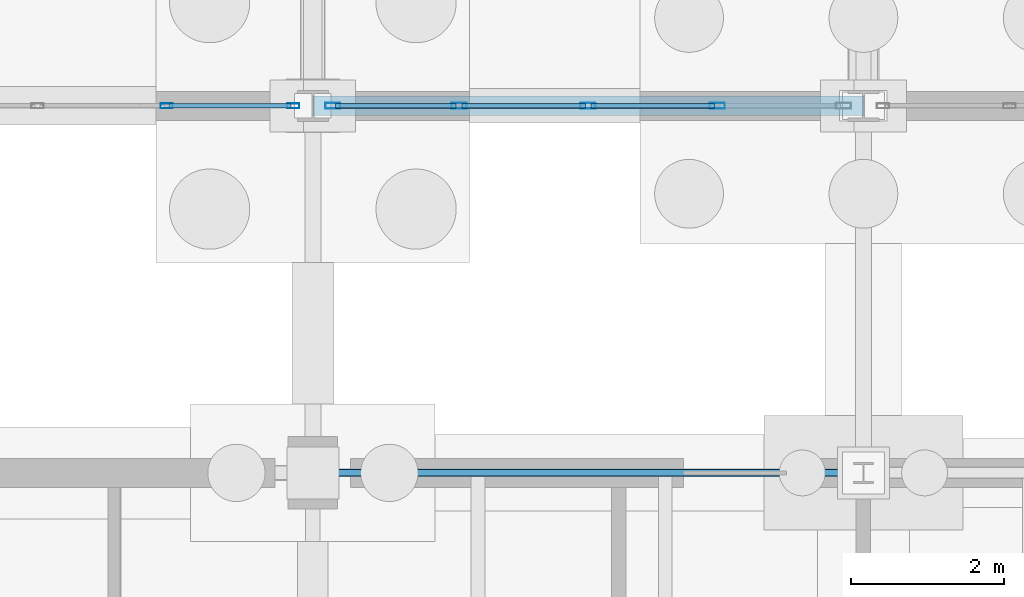
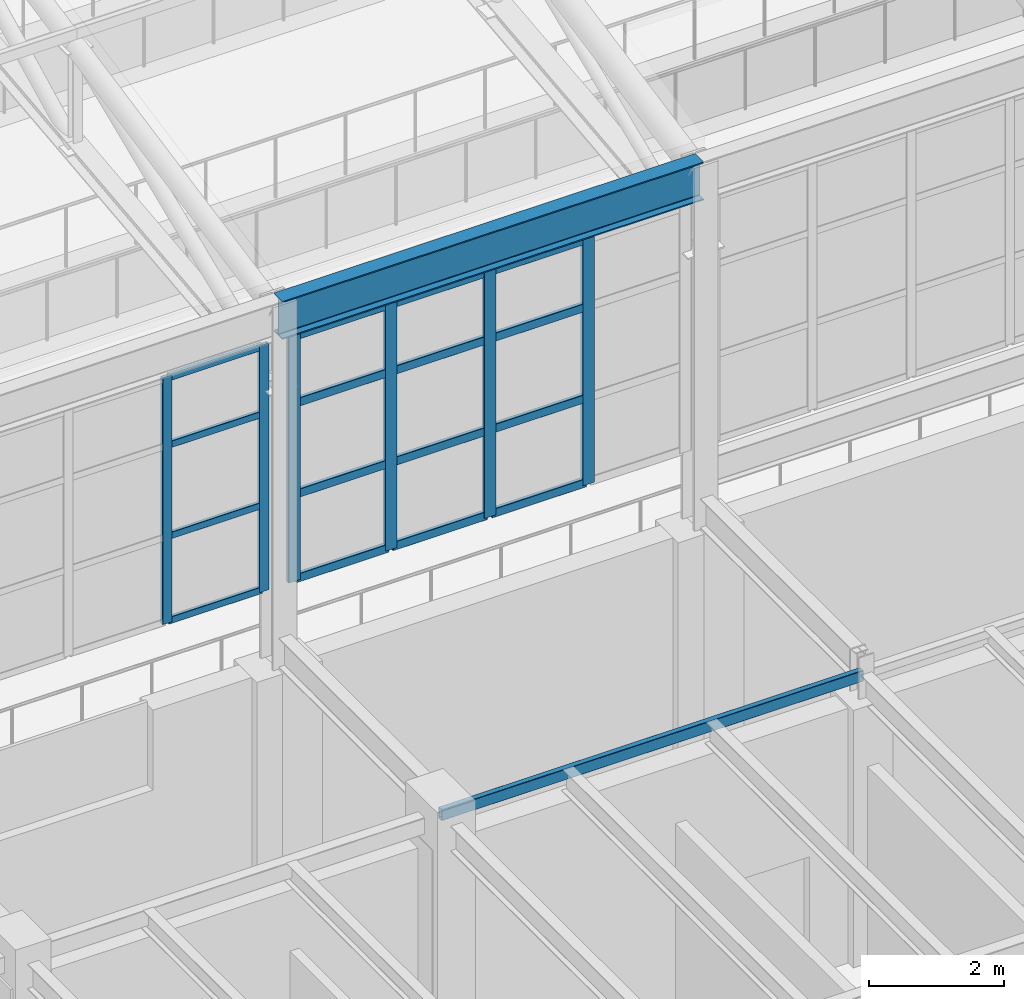
# One storey, part 166 of 293: 22 members, 2 beams, 2 elements without a shape of their own.
"""IFC4 building model written with IfcOpenShell, lengths in metres."""

import ifcopenshell
import ifcopenshell.guid

model = None  # the IFC model being written
_history = None  # IfcOwnerHistory: only IFC2X3 demands one
_inside = {}  # id of a spatial element -> (the spatial element, [elements in it])
_under = {}  # id of a project, library or spatial element -> (it, [spatial elements below it])
_declared = {}  # id of a project -> (the project, [libraries it declares])
_typed = {}  # id of a type object -> (the type object, [elements of that type])
_made_of = {}  # id of a material, layer set ... -> (it, [elements and type objects made of it])


def new_model(schema):
    """Start an empty IFC model of exactly this schema.

    Asked for "IFC4X3", IfcOpenShell would pick the latest addendum, in which some entities
    have other attributes; the version numbers below select the first issue.
    IFC2X3 requires an IfcOwnerHistory on every rooted entity: one is made here for all.
    """
    global model, _history
    if schema == "IFC4X3":
        model = ifcopenshell.file(schema_version=(4, 3, 0, 0))
    else:
        model = ifcopenshell.file(schema=schema)
    _inside.clear()
    _under.clear()
    _declared.clear()
    _typed.clear()
    _made_of.clear()
    _history = None
    if model.schema == "IFC2X3":
        org = make("IfcOrganization", Name="unknown")
        user = make(
            "IfcPersonAndOrganization",
            ThePerson=make("IfcPerson", FamilyName="unknown"),
            TheOrganization=org,
        )
        app = make(
            "IfcApplication",
            ApplicationDeveloper=org,
            Version="unknown",
            ApplicationFullName="unknown",
            ApplicationIdentifier="unknown",
        )
        _history = make(
            "IfcOwnerHistory",
            OwningUser=user,
            OwningApplication=app,
            ChangeAction="ADDED",
            CreationDate=0,
        )
    return model


def make(cls, **values):
    """One entity of the class cls with the attributes given. An attribute that is None is left unset."""
    return model.create_entity(
        cls, **{name: value for name, value in values.items() if value is not None}
    )


def rooted(cls, **values):
    """An entity with a GlobalId (a new one), such as an element, a storey or a relation."""
    return make(cls, GlobalId=ifcopenshell.guid.new(), OwnerHistory=_history, **values)


def si_unit(unit_type, name, prefix=None):
    """IfcSIUnit, for example si_unit("LENGTHUNIT", "METRE", prefix="MILLI")."""
    return make("IfcSIUnit", UnitType=unit_type, Prefix=prefix, Name=name)


def assignment(units):
    """IfcUnitAssignment: the units of a project."""
    return None if units is None else make("IfcUnitAssignment", Units=units)


def point(xyz):
    """IfcCartesianPoint."""
    return None if xyz is None else make("IfcCartesianPoint", Coordinates=xyz)


def direction(xyz):
    """IfcDirection."""
    return None if xyz is None else make("IfcDirection", DirectionRatios=xyz)


def frame(location, z_axis=None, x_axis=None):
    """IfcAxis2Placement3D, a coordinate frame: its origin and axes. An axis left out is left unset."""
    return make(
        "IfcAxis2Placement3D",
        Location=point(location),
        Axis=direction(z_axis),
        RefDirection=direction(x_axis),
    )


def frame_2d(location, x_axis=None):
    """IfcAxis2Placement2D, a coordinate frame in the plane: its origin and x axis."""
    return make(
        "IfcAxis2Placement2D", Location=point(location), RefDirection=direction(x_axis)
    )


def origin():
    """The frame at (0, 0, 0) with its axes left unset."""
    return frame((0.0, 0.0, 0.0))


def origin_2d():
    """The frame at (0, 0) in the plane with its x axis left unset."""
    return frame_2d((0.0, 0.0))


def place(relative_to, where):
    """IfcLocalPlacement: puts the frame where relative to a parent placement (None: the world)."""
    return make(
        "IfcLocalPlacement", PlacementRelTo=relative_to, RelativePlacement=where
    )


def context(
    kind, dimensions, precision=None, world=None, true_north=None, identifier=None
):
    """IfcGeometricRepresentationContext, for example the 3D "Model" context."""
    return make(
        "IfcGeometricRepresentationContext",
        ContextIdentifier=identifier,
        ContextType=kind,
        CoordinateSpaceDimension=dimensions,
        Precision=precision,
        WorldCoordinateSystem=world,
        TrueNorth=true_north,
    )


def subcontext(parent, identifier, kind, view, scale=None):
    """IfcGeometricRepresentationSubContext, for example "Body" below "Model"."""
    return make(
        "IfcGeometricRepresentationSubContext",
        ContextIdentifier=identifier,
        ContextType=kind,
        ParentContext=parent,
        TargetScale=scale,
        TargetView=view,
    )


def project(units=None, contexts=None):
    """IfcProject with its units and contexts."""
    return rooted(
        "IfcProject",
        Name="project",
        RepresentationContexts=contexts,
        UnitsInContext=assignment(units),
    )


def spatial(cls, under=None, at=None, **own):
    """A site, building, storey or space (cls), placed at a placement, below another one or the project."""
    s = rooted(cls, ObjectPlacement=at, **own)
    if under is not None:
        _under.setdefault(under.id(), (under, []))[1].append(s)
    return s


def profile(cls, at=None, kind="AREA", **sizes):
    """A parametric profile (cls). Its sizes go by their IFC names, for example OverallWidth=200.0."""
    return make(cls, ProfileType=kind, Position=at, **sizes)


def hollow_rectangle(**sizes):
    """IfcRectangleHollowProfileDef."""
    return profile("IfcRectangleHollowProfileDef", **sizes)


def i_section(**sizes):
    """IfcIShapeProfileDef."""
    return profile("IfcIShapeProfileDef", **sizes)


def extrude(swept, where, along, depth):
    """IfcExtrudedAreaSolid: the profile swept, set in the frame where, extruded along a direction by depth."""
    return make(
        "IfcExtrudedAreaSolid",
        SweptArea=swept,
        Position=where,
        ExtrudedDirection=direction(along),
        Depth=depth,
    )


def shape(context_of_items, identifier, shape_type, items):
    """IfcShapeRepresentation: the items that make up one representation, for example the "Body"."""
    return make(
        "IfcShapeRepresentation",
        ContextOfItems=context_of_items,
        RepresentationIdentifier=identifier,
        RepresentationType=shape_type,
        Items=items,
    )


def material(Name=None, Category=None):
    """IfcMaterial."""
    return make("IfcMaterial", Name=Name, Category=Category)


def layer(
    of_material, thickness, ventilated=None, Name=None, Category=None, Priority=None
):
    """IfcMaterialLayer: one layer of a wall or slab, of a material (None: an air gap)."""
    return make(
        "IfcMaterialLayer",
        Material=of_material,
        LayerThickness=thickness,
        IsVentilated=ventilated,
        Name=Name,
        Category=Category,
        Priority=Priority,
    )


def layer_set(layers, Name=None):
    """IfcMaterialLayerSet."""
    return make("IfcMaterialLayerSet", MaterialLayers=layers, LayerSetName=Name)


def material_profile(
    of_material, cross_section, Name=None, Category=None, Priority=None
):
    """IfcMaterialProfile: a cross section and its material."""
    return make(
        "IfcMaterialProfile",
        Name=Name,
        Material=of_material,
        Profile=cross_section,
        Priority=Priority,
        Category=Category,
    )


def profile_set(profiles, Name=None, composite=None):
    """IfcMaterialProfileSet."""
    return make(
        "IfcMaterialProfileSet",
        Name=Name,
        MaterialProfiles=profiles,
        CompositeProfile=composite,
    )


def made_of(thing, what):
    """Note that an element or type object is made of a material, layer set ...; save() writes the relation."""
    if what is not None:
        _made_of.setdefault(what.id(), (what, []))[1].append(thing)
    return thing


def type_object(cls, material=None, **own):
    """A type object (cls), such as IfcWallType, which elements share."""
    return made_of(rooted(cls, **own), material)


def element(
    cls,
    number,
    at=None,
    inside=None,
    cuts=None,
    type_object=None,
    material=None,
    context=None,
    identifier="Body",
    shape_type=None,
    held_by="IfcProductDefinitionShape",
    body=None,
    shapes=None,
    **own,
):
    """One element of the class cls, such as IfcWall. Its Tag is "e" and its number.

    at: its placement. inside: the storey or other place that contains it. cuts: it is an
    opening in that element (IfcRelVoidsElement). A single representation is given by context,
    identifier, shape_type and body (its items); several are given by shapes. held_by: the class
    of the entity that holds the representations. save() writes the other relations.
    """
    e = rooted(cls, Tag="e%d" % number, ObjectPlacement=at, **own)
    if body is not None:
        shapes = [shape(context, identifier, shape_type, body)]
    if shapes is not None:
        e.Representation = make(held_by, Representations=shapes)
    if inside is not None:
        _inside.setdefault(inside.id(), (inside, []))[1].append(e)
    if cuts is not None:
        rooted(
            "IfcRelVoidsElement", RelatingBuildingElement=cuts, RelatedOpeningElement=e
        )
    if type_object is not None:
        _typed.setdefault(type_object.id(), (type_object, []))[1].append(e)
    return made_of(e, material)


def aggregate(whole, parts):
    """IfcRelAggregates: a whole, such as a stair, and the parts it consists of."""
    return rooted("IfcRelAggregates", RelatingObject=whole, RelatedObjects=parts)


def save(model, path):
    """Write the relations noted so far, then the file.

    IfcRelAggregates (storeys below a building ...), IfcRelContainedInSpatialStructure (elements
    in a storey), IfcRelDefinesByType, IfcRelAssociatesMaterial and IfcRelDeclares: one each for
    every whole, place, type object, material and project.
    """
    for whole, parts in _under.values():
        aggregate(whole, parts)
    for where, things in _inside.values():
        rooted(
            "IfcRelContainedInSpatialStructure",
            RelatedElements=things,
            RelatingStructure=where,
        )
    for kind, things in _typed.values():
        rooted("IfcRelDefinesByType", RelatedObjects=things, RelatingType=kind)
    for what, things in _made_of.values():
        rooted("IfcRelAssociatesMaterial", RelatedObjects=things, RelatingMaterial=what)
    for by, libraries in _declared.values():
        rooted("IfcRelDeclares", RelatingContext=by, RelatedDefinitions=libraries)
    model.write(path)


model = new_model("IFC4")

# Units and contexts
model_context = context("Model", 3, precision=1e-05, world=origin(), true_north=direction((0.0, 1.0)))
body_context = subcontext(model_context, "Body", "Model", "MODEL_VIEW")
ifc_project = project(units=[si_unit("LENGTHUNIT", "METRE"), si_unit("AREAUNIT", "SQUARE_METRE"), si_unit("VOLUMEUNIT", "CUBIC_METRE"), si_unit("PLANEANGLEUNIT", "RADIAN"), si_unit("MASSUNIT", "GRAM", prefix="KILO")], contexts=[model_context])

# Site, building, storey
site_placement = place(None, origin())
site = spatial("IfcSite", under=ifc_project, at=site_placement, CompositionType="ELEMENT")
building_placement = place(site_placement, origin())
building = spatial("IfcBuilding", under=site, at=building_placement, Name="Kemerveld Promenade Tramway Depot", CompositionType="ELEMENT")
storey_placement = place(building_placement, origin())
storey = spatial("IfcBuildingStorey", under=building, at=storey_placement, Name="L00", CompositionType="ELEMENT", Elevation=0.0)

# Beams
ifc_material_1 = material(Name="Steel S355", Category="steel")
ifc_material_profile_1 = material_profile(ifc_material_1, i_section(OverallWidth=0.25439453125, OverallDepth=0.6875, WebThickness=0.01318359375, FlangeThickness=0.02099609375, FilletRadius=0.01513671875, at=origin_2d()), Name="686x254x152 UB")
ifc_profile_set_1 = profile_set([ifc_material_profile_1], Name="Steel S355")
beam_type_1 = type_object("IfcBeamType", Name="BM-G03", PredefinedType="BEAM", material=ifc_profile_set_1)
beam_1_placement = place(storey_placement, frame((136.800048828125, 84.0, 11.056396484375), z_axis=(1.0, 0.0, 0.0), x_axis=(0.0, 1.0, 0.0)))
element("IfcBeam", 1, at=beam_1_placement, inside=storey, type_object=beam_type_1, Name="BM-SHED-EAVE-N-20", PredefinedType="BEAM", context=body_context, shape_type="SweptSolid", body=[
    extrude(i_section(OverallWidth=0.25439453125, OverallDepth=0.6875, WebThickness=0.01318359375, FlangeThickness=0.02099609375, FilletRadius=0.01513671875, at=origin_2d()), origin(), (0.0, 0.0, 1.0), 7.199951171875),
])
ifc_material_profile_2 = material_profile(ifc_material_1, hollow_rectangle(XDim=0.10009765625, YDim=0.199951171875, WallThickness=0.008056640625, InnerFilletRadius=0.00390625, OuterFilletRadius=0.011962890625, at=origin_2d()), Name="200x100x8.0 RHS")
ifc_profile_set_2 = profile_set([ifc_material_profile_2], Name="Steel S355")
beam_type_2 = type_object("IfcBeamType", Name="BM-SP3", PredefinedType="SPANDREL", material=ifc_profile_set_2)
beam_2_placement = place(storey_placement, frame((136.800048828125, 79.199951171875, 4.97998046875), z_axis=(1.0, 0.0, 0.0), x_axis=(0.0, 1.0, 0.0)))
element("IfcBeam", 2, at=beam_2_placement, inside=storey, type_object=beam_type_2, Name="BMX-L00-20-21-M", PredefinedType="SPANDREL", context=body_context, shape_type="SweptSolid", body=[
    extrude(hollow_rectangle(XDim=0.10009765625, YDim=0.199951171875, WallThickness=0.008056640625, InnerFilletRadius=0.00390625, OuterFilletRadius=0.011962890625, at=origin_2d()), origin(), (0.0, 0.0, 1.0), 7.199951171875),
])

# Curtain wall, members
ifc_material_2 = material(Name="Bronze anodised aluminium and solar glass", Category="aluminium")
ifc_layer_1 = layer(ifc_material_2, 0.159912109375)
ifc_layer_set_1 = layer_set([ifc_layer_1], Name="CW-SYS-03")
curtain_wall_type_1 = type_object("IfcCurtainWallType", Name="CW-SYS-03", PredefinedType="USERDEFINED", material=ifc_layer_set_1)
curtain_wall_1_placement = place(storey_placement, origin())
curtain_wall_1 = element("IfcCurtainWall", 3, at=curtain_wall_1_placement, inside=storey, type_object=curtain_wall_type_1, Name="CW-V1-S-14", ObjectType="GLAZED_CURTAIN_WALL", PredefinedType="USERDEFINED")
ifc_material_3 = material(Name="Bronze anodised aluminium", Category="aluminium")
ifc_material_profile_3 = material_profile(ifc_material_3, hollow_rectangle(XDim=0.06494140625, YDim=0.159912109375, WallThickness=0.00390625, InnerFilletRadius=0.001953125, OuterFilletRadius=0.00390625, at=origin_2d()), Name="CW-MUL-160x65")
ifc_profile_set_3 = profile_set([ifc_material_profile_3], Name="Bronze anodised aluminium")
member_type_1 = type_object("IfcMemberType", Name="CW-MUL-A", PredefinedType="MULLION", material=ifc_profile_set_3)
member_1_placement = place(storey_placement, frame((136.544189453125, 84.0, 6.199951171875), z_axis=(0.0, 0.0, 1.0), x_axis=(0.0, -1.0, 0.0)))
member_1 = element("IfcMember", 4, at=member_1_placement, type_object=member_type_1, Name="CW03 mullion 1", PredefinedType="MULLION", context=body_context, shape_type="SweptSolid", body=[
    extrude(hollow_rectangle(XDim=0.06494140625, YDim=0.159912109375, WallThickness=0.00390625, InnerFilletRadius=0.001953125, OuterFilletRadius=0.00390625, at=origin_2d()), origin(), (0.0, 0.0, 1.0), 4.449951171875),
])
member_2_placement = place(storey_placement, frame((134.888427734375, 84.0, 6.199951171875), z_axis=(0.0, 0.0, 1.0), x_axis=(0.0, -1.0, 0.0)))
member_2 = element("IfcMember", 5, at=member_2_placement, type_object=member_type_1, Name="CW03 mullion 2", PredefinedType="MULLION", context=body_context, shape_type="SweptSolid", body=[
    extrude(hollow_rectangle(XDim=0.06494140625, YDim=0.159912109375, WallThickness=0.00390625, InnerFilletRadius=0.001953125, OuterFilletRadius=0.00390625, at=origin_2d()), origin(), (0.0, 0.0, 1.0), 4.449951171875),
])

ifc_layer_2 = layer(ifc_material_2, 0.199951171875)
ifc_layer_set_2 = layer_set([ifc_layer_2], Name="CW-SYS-04")
curtain_wall_type_2 = type_object("IfcCurtainWallType", Name="CW-SYS-04", PredefinedType="USERDEFINED", material=ifc_layer_set_2)
curtain_wall_2_placement = place(storey_placement, origin())
curtain_wall_2 = element("IfcCurtainWall", 6, at=curtain_wall_2_placement, inside=storey, type_object=curtain_wall_type_2, Name="CW-V1-S-15", ObjectType="GLAZED_CURTAIN_WALL", PredefinedType="USERDEFINED")
ifc_material_profile_4 = material_profile(ifc_material_3, hollow_rectangle(XDim=0.074951171875, YDim=0.199951171875, WallThickness=0.0048828125, InnerFilletRadius=0.001953125, OuterFilletRadius=0.0048828125, at=origin_2d()), Name="CW-MUL-200x75")
ifc_profile_set_4 = profile_set([ifc_material_profile_4], Name="Bronze anodised aluminium")
member_type_2 = type_object("IfcMemberType", Name="CW-MUL-B", PredefinedType="MULLION", material=ifc_profile_set_4)
member_3_placement = place(storey_placement, frame((142.08837890625, 84.0, 6.199951171875), z_axis=(0.0, 0.0, 1.0), x_axis=(0.0, -1.0, 0.0)))
member_3 = element("IfcMember", 7, at=member_3_placement, type_object=member_type_2, Name="CW04 mullion 2", PredefinedType="MULLION", context=body_context, shape_type="SweptSolid", body=[
    extrude(hollow_rectangle(XDim=0.074951171875, YDim=0.199951171875, WallThickness=0.0048828125, InnerFilletRadius=0.001953125, OuterFilletRadius=0.0048828125, at=origin_2d()), origin(), (0.0, 0.0, 1.0), 4.449951171875),
])
member_4_placement = place(storey_placement, frame((140.39990234375, 84.0, 6.199951171875), z_axis=(0.0, 0.0, 1.0), x_axis=(0.0, -1.0, 0.0)))
member_4 = element("IfcMember", 8, at=member_4_placement, type_object=member_type_2, Name="CW04 mullion 3", PredefinedType="MULLION", context=body_context, shape_type="SweptSolid", body=[
    extrude(hollow_rectangle(XDim=0.074951171875, YDim=0.199951171875, WallThickness=0.0048828125, InnerFilletRadius=0.001953125, OuterFilletRadius=0.0048828125, at=origin_2d()), origin(), (0.0, 0.0, 1.0), 4.449951171875),
])
member_5_placement = place(storey_placement, frame((138.711669921875, 84.0, 6.199951171875), z_axis=(0.0, 0.0, 1.0), x_axis=(0.0, -1.0, 0.0)))
member_5 = element("IfcMember", 9, at=member_5_placement, type_object=member_type_2, Name="CW04 mullion 4", PredefinedType="MULLION", context=body_context, shape_type="SweptSolid", body=[
    extrude(hollow_rectangle(XDim=0.074951171875, YDim=0.199951171875, WallThickness=0.0048828125, InnerFilletRadius=0.001953125, OuterFilletRadius=0.0048828125, at=origin_2d()), origin(), (0.0, 0.0, 1.0), 4.449951171875),
])
member_6_placement = place(storey_placement, frame((137.060791015625, 84.0, 6.199951171875), z_axis=(0.0, 0.0, 1.0), x_axis=(0.0, -1.0, 0.0)))
member_6 = element("IfcMember", 10, at=member_6_placement, type_object=member_type_2, Name="CW04 mullion 5", PredefinedType="MULLION", context=body_context, shape_type="SweptSolid", body=[
    extrude(hollow_rectangle(XDim=0.074951171875, YDim=0.199951171875, WallThickness=0.0048828125, InnerFilletRadius=0.001953125, OuterFilletRadius=0.0048828125, at=origin_2d()), origin(), (0.0, 0.0, 1.0), 4.449951171875),
])

# Member
ifc_material_profile_5 = material_profile(ifc_material_3, hollow_rectangle(XDim=0.06005859375, YDim=0.1201171875, WallThickness=0.00390625, InnerFilletRadius=0.001953125, OuterFilletRadius=0.00390625, at=origin_2d()), Name="CW-TRN-120x60")
ifc_profile_set_5 = profile_set([ifc_material_profile_5], Name="Bronze anodised aluminium")
member_type_3 = type_object("IfcMemberType", Name="CW-TRN-A", PredefinedType="USERDEFINED", material=ifc_profile_set_5)
member_7_placement = place(storey_placement, frame((136.51171875, 84.0, 6.22998046875), z_axis=(-1.0, 0.0, 0.0), x_axis=(0.0, -1.0, 0.0)))
member_7 = element("IfcMember", 11, at=member_7_placement, type_object=member_type_3, Name="CW03 transom 1.1", ObjectType="TRANSOM", PredefinedType="USERDEFINED", context=body_context, shape_type="SweptSolid", body=[
    extrude(hollow_rectangle(XDim=0.06005859375, YDim=0.1201171875, WallThickness=0.00390625, InnerFilletRadius=0.001953125, OuterFilletRadius=0.00390625, at=origin_2d()), origin(), (0.0, 0.0, 1.0), 1.5908203125),
])

member_8_placement = place(storey_placement, frame((136.51171875, 84.0, 7.758056640625), z_axis=(-1.0, 0.0, 0.0), x_axis=(0.0, -1.0, 0.0)))
member_8 = element("IfcMember", 12, at=member_8_placement, type_object=member_type_3, Name="CW03 transom 1.2", ObjectType="TRANSOM", PredefinedType="USERDEFINED", context=body_context, shape_type="SweptSolid", body=[
    extrude(hollow_rectangle(XDim=0.06005859375, YDim=0.1201171875, WallThickness=0.00390625, InnerFilletRadius=0.001953125, OuterFilletRadius=0.00390625, at=origin_2d()), origin(), (0.0, 0.0, 1.0), 1.5908203125),
])

member_9_placement = place(storey_placement, frame((136.51171875, 84.0, 9.404052734375), z_axis=(-1.0, 0.0, 0.0), x_axis=(0.0, -1.0, 0.0)))
member_9 = element("IfcMember", 13, at=member_9_placement, type_object=member_type_3, Name="CW03 transom 1.3", ObjectType="TRANSOM", PredefinedType="USERDEFINED", context=body_context, shape_type="SweptSolid", body=[
    extrude(hollow_rectangle(XDim=0.06005859375, YDim=0.1201171875, WallThickness=0.00390625, InnerFilletRadius=0.001953125, OuterFilletRadius=0.00390625, at=origin_2d()), origin(), (0.0, 0.0, 1.0), 1.5908203125),
])

member_10_placement = place(storey_placement, frame((136.51171875, 84.0, 10.6201171875), z_axis=(-1.0, 0.0, 0.0), x_axis=(0.0, -1.0, 0.0)))
member_10 = element("IfcMember", 14, at=member_10_placement, type_object=member_type_3, Name="CW03 transom 1.4", ObjectType="TRANSOM", PredefinedType="USERDEFINED", context=body_context, shape_type="SweptSolid", body=[
    extrude(hollow_rectangle(XDim=0.06005859375, YDim=0.1201171875, WallThickness=0.00390625, InnerFilletRadius=0.001953125, OuterFilletRadius=0.00390625, at=origin_2d()), origin(), (0.0, 0.0, 1.0), 1.5908203125),
])

aggregate(curtain_wall_1, [member_1, member_2, member_7, member_8, member_9, member_10])

ifc_material_profile_6 = material_profile(ifc_material_3, hollow_rectangle(XDim=0.06494140625, YDim=0.14990234375, WallThickness=0.00439453125, InnerFilletRadius=0.001953125, OuterFilletRadius=0.00439453125, at=origin_2d()), Name="CW-TRN-150x65")
ifc_profile_set_6 = profile_set([ifc_material_profile_6], Name="Bronze anodised aluminium")
member_type_4 = type_object("IfcMemberType", Name="CW-TRN-B", PredefinedType="USERDEFINED", material=ifc_profile_set_6)
member_11_placement = place(storey_placement, frame((142.05078125, 84.0, 6.232421875), z_axis=(-1.0, 0.0, 0.0), x_axis=(0.0, -1.0, 0.0)))
member_11 = element("IfcMember", 15, at=member_11_placement, type_object=member_type_4, Name="CW04 transom 2.1", ObjectType="TRANSOM", PredefinedType="USERDEFINED", context=body_context, shape_type="SweptSolid", body=[
    extrude(hollow_rectangle(XDim=0.06494140625, YDim=0.14990234375, WallThickness=0.00439453125, InnerFilletRadius=0.001953125, OuterFilletRadius=0.00439453125, at=origin_2d()), origin(), (0.0, 0.0, 1.0), 1.61328125),
])

member_12_placement = place(storey_placement, frame((142.05078125, 84.0, 7.758056640625), z_axis=(-1.0, 0.0, 0.0), x_axis=(0.0, -1.0, 0.0)))
member_12 = element("IfcMember", 16, at=member_12_placement, type_object=member_type_4, Name="CW04 transom 2.2", ObjectType="TRANSOM", PredefinedType="USERDEFINED", context=body_context, shape_type="SweptSolid", body=[
    extrude(hollow_rectangle(XDim=0.06494140625, YDim=0.14990234375, WallThickness=0.00439453125, InnerFilletRadius=0.001953125, OuterFilletRadius=0.00439453125, at=origin_2d()), origin(), (0.0, 0.0, 1.0), 1.61328125),
])

member_13_placement = place(storey_placement, frame((142.05078125, 84.0, 9.404052734375), z_axis=(-1.0, 0.0, 0.0), x_axis=(0.0, -1.0, 0.0)))
member_13 = element("IfcMember", 17, at=member_13_placement, type_object=member_type_4, Name="CW04 transom 2.3", ObjectType="TRANSOM", PredefinedType="USERDEFINED", context=body_context, shape_type="SweptSolid", body=[
    extrude(hollow_rectangle(XDim=0.06494140625, YDim=0.14990234375, WallThickness=0.00439453125, InnerFilletRadius=0.001953125, OuterFilletRadius=0.00439453125, at=origin_2d()), origin(), (0.0, 0.0, 1.0), 1.61328125),
])

member_14_placement = place(storey_placement, frame((142.05078125, 84.0, 10.617431640625), z_axis=(-1.0, 0.0, 0.0), x_axis=(0.0, -1.0, 0.0)))
member_14 = element("IfcMember", 18, at=member_14_placement, type_object=member_type_4, Name="CW04 transom 2.4", ObjectType="TRANSOM", PredefinedType="USERDEFINED", context=body_context, shape_type="SweptSolid", body=[
    extrude(hollow_rectangle(XDim=0.06494140625, YDim=0.14990234375, WallThickness=0.00439453125, InnerFilletRadius=0.001953125, OuterFilletRadius=0.00439453125, at=origin_2d()), origin(), (0.0, 0.0, 1.0), 1.61328125),
])

member_15_placement = place(storey_placement, frame((140.362548828125, 84.0, 6.232421875), z_axis=(-1.0, 0.0, 0.0), x_axis=(0.0, -1.0, 0.0)))
member_15 = element("IfcMember", 19, at=member_15_placement, type_object=member_type_4, Name="CW04 transom 3.1", ObjectType="TRANSOM", PredefinedType="USERDEFINED", context=body_context, shape_type="SweptSolid", body=[
    extrude(hollow_rectangle(XDim=0.06494140625, YDim=0.14990234375, WallThickness=0.00439453125, InnerFilletRadius=0.001953125, OuterFilletRadius=0.00439453125, at=origin_2d()), origin(), (0.0, 0.0, 1.0), 1.613525390625),
])

member_16_placement = place(storey_placement, frame((140.362548828125, 84.0, 7.758056640625), z_axis=(-1.0, 0.0, 0.0), x_axis=(0.0, -1.0, 0.0)))
member_16 = element("IfcMember", 20, at=member_16_placement, type_object=member_type_4, Name="CW04 transom 3.2", ObjectType="TRANSOM", PredefinedType="USERDEFINED", context=body_context, shape_type="SweptSolid", body=[
    extrude(hollow_rectangle(XDim=0.06494140625, YDim=0.14990234375, WallThickness=0.00439453125, InnerFilletRadius=0.001953125, OuterFilletRadius=0.00439453125, at=origin_2d()), origin(), (0.0, 0.0, 1.0), 1.613525390625),
])

member_17_placement = place(storey_placement, frame((140.362548828125, 84.0, 9.404052734375), z_axis=(-1.0, 0.0, 0.0), x_axis=(0.0, -1.0, 0.0)))
member_17 = element("IfcMember", 21, at=member_17_placement, type_object=member_type_4, Name="CW04 transom 3.3", ObjectType="TRANSOM", PredefinedType="USERDEFINED", context=body_context, shape_type="SweptSolid", body=[
    extrude(hollow_rectangle(XDim=0.06494140625, YDim=0.14990234375, WallThickness=0.00439453125, InnerFilletRadius=0.001953125, OuterFilletRadius=0.00439453125, at=origin_2d()), origin(), (0.0, 0.0, 1.0), 1.613525390625),
])

member_18_placement = place(storey_placement, frame((140.362548828125, 84.0, 10.617431640625), z_axis=(-1.0, 0.0, 0.0), x_axis=(0.0, -1.0, 0.0)))
member_18 = element("IfcMember", 22, at=member_18_placement, type_object=member_type_4, Name="CW04 transom 3.4", ObjectType="TRANSOM", PredefinedType="USERDEFINED", context=body_context, shape_type="SweptSolid", body=[
    extrude(hollow_rectangle(XDim=0.06494140625, YDim=0.14990234375, WallThickness=0.00439453125, InnerFilletRadius=0.001953125, OuterFilletRadius=0.00439453125, at=origin_2d()), origin(), (0.0, 0.0, 1.0), 1.613525390625),
])

member_19_placement = place(storey_placement, frame((138.674072265625, 84.0, 6.232421875), z_axis=(-1.0, 0.0, 0.0), x_axis=(0.0, -1.0, 0.0)))
member_19 = element("IfcMember", 23, at=member_19_placement, type_object=member_type_4, Name="CW04 transom 4.1", ObjectType="TRANSOM", PredefinedType="USERDEFINED", context=body_context, shape_type="SweptSolid", body=[
    extrude(hollow_rectangle(XDim=0.06494140625, YDim=0.14990234375, WallThickness=0.00439453125, InnerFilletRadius=0.001953125, OuterFilletRadius=0.00439453125, at=origin_2d()), origin(), (0.0, 0.0, 1.0), 1.575927734375),
])

member_20_placement = place(storey_placement, frame((138.674072265625, 84.0, 7.758056640625), z_axis=(-1.0, 0.0, 0.0), x_axis=(0.0, -1.0, 0.0)))
member_20 = element("IfcMember", 24, at=member_20_placement, type_object=member_type_4, Name="CW04 transom 4.2", ObjectType="TRANSOM", PredefinedType="USERDEFINED", context=body_context, shape_type="SweptSolid", body=[
    extrude(hollow_rectangle(XDim=0.06494140625, YDim=0.14990234375, WallThickness=0.00439453125, InnerFilletRadius=0.001953125, OuterFilletRadius=0.00439453125, at=origin_2d()), origin(), (0.0, 0.0, 1.0), 1.575927734375),
])

member_21_placement = place(storey_placement, frame((138.674072265625, 84.0, 9.404052734375), z_axis=(-1.0, 0.0, 0.0), x_axis=(0.0, -1.0, 0.0)))
member_21 = element("IfcMember", 25, at=member_21_placement, type_object=member_type_4, Name="CW04 transom 4.3", ObjectType="TRANSOM", PredefinedType="USERDEFINED", context=body_context, shape_type="SweptSolid", body=[
    extrude(hollow_rectangle(XDim=0.06494140625, YDim=0.14990234375, WallThickness=0.00439453125, InnerFilletRadius=0.001953125, OuterFilletRadius=0.00439453125, at=origin_2d()), origin(), (0.0, 0.0, 1.0), 1.575927734375),
])

member_22_placement = place(storey_placement, frame((138.674072265625, 84.0, 10.617431640625), z_axis=(-1.0, 0.0, 0.0), x_axis=(0.0, -1.0, 0.0)))
member_22 = element("IfcMember", 26, at=member_22_placement, type_object=member_type_4, Name="CW04 transom 4.4", ObjectType="TRANSOM", PredefinedType="USERDEFINED", context=body_context, shape_type="SweptSolid", body=[
    extrude(hollow_rectangle(XDim=0.06494140625, YDim=0.14990234375, WallThickness=0.00439453125, InnerFilletRadius=0.001953125, OuterFilletRadius=0.00439453125, at=origin_2d()), origin(), (0.0, 0.0, 1.0), 1.575927734375),
])

aggregate(curtain_wall_2, [member_3, member_4, member_5, member_6, member_11, member_12, member_13, member_14, member_15, member_16, member_17, member_18, member_19, member_20, member_21, member_22])

save(model, "model.ifc")
